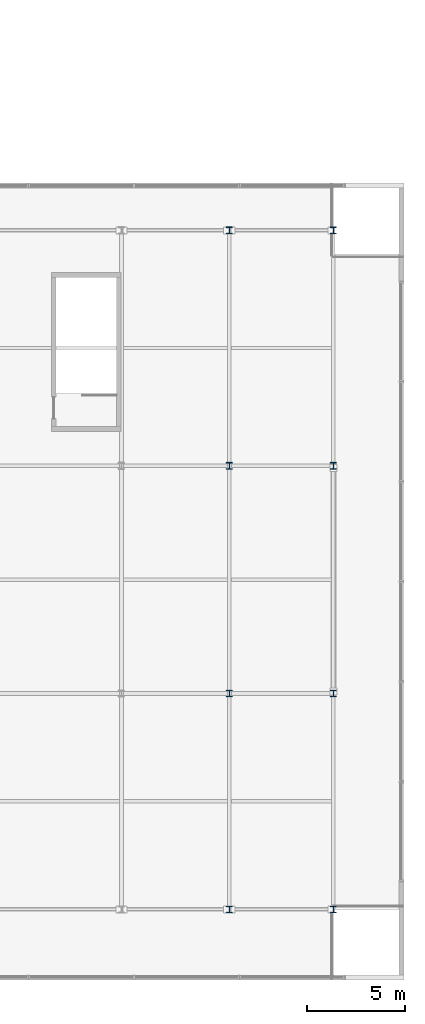
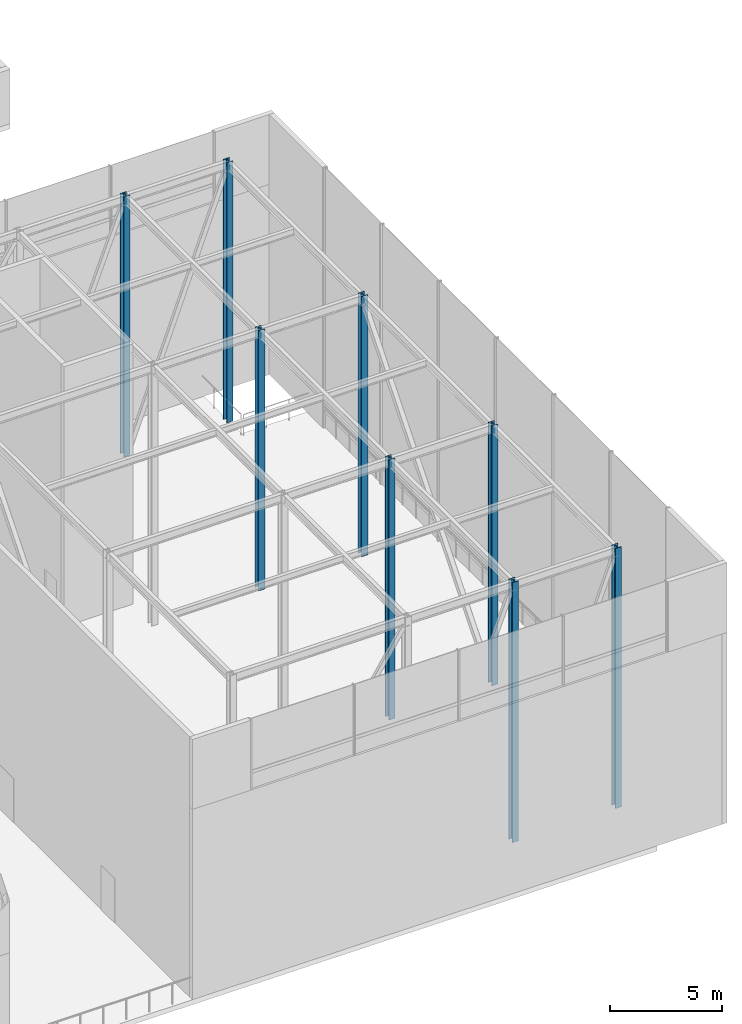
# One storey, part 4 of 42: 8 columns.
"""IFC4 building model written with IfcOpenShell, lengths in metres."""

from ifc_helpers import new_model, si_unit, direction, frame, origin, origin_2d, place, context, subcontext, project, spatial, i_section, extrude, material, material_profile, profile_set, type_object, element, save


model = new_model("IFC4")

# Units and contexts
model_context = context("Model", 3, precision=1e-05, world=origin(), true_north=direction((0.0, 1.0)))
body_context = subcontext(model_context, "Body", "Model", "MODEL_VIEW")
ifc_project = project(units=[si_unit("LENGTHUNIT", "METRE"), si_unit("AREAUNIT", "SQUARE_METRE"), si_unit("VOLUMEUNIT", "CUBIC_METRE"), si_unit("PLANEANGLEUNIT", "RADIAN"), si_unit("MASSUNIT", "GRAM", prefix="KILO")], contexts=[model_context])

# Site, building, storey
site_placement = place(None, origin())
site = spatial("IfcSite", under=ifc_project, at=site_placement, CompositionType="ELEMENT")
building_placement = place(site_placement, origin())
building = spatial("IfcBuilding", under=site, at=building_placement, Name="Korimba Cascade Residences", CompositionType="ELEMENT")
storey_placement = place(building_placement, frame((0.0, 0.0, 207.60009765625)))
storey = spatial("IfcBuildingStorey", under=building, at=storey_placement, Name="L60", CompositionType="ELEMENT", Elevation=207.60009765625)

# Columns
ifc_material = material(Name="Steel S355", Category="steel")
ifc_material_profile = material_profile(ifc_material, i_section(OverallWidth=0.314453125, OverallDepth=0.33984375, WebThickness=0.01904296875, FlangeThickness=0.031494140625, FilletRadius=0.01513671875, at=origin_2d()), Name="Steel S355")
ifc_profile_set = profile_set([ifc_material_profile], Name="Steel S355")
column_type = type_object("IfcColumnType", Name="COL-STL-UC198", PredefinedType="COLUMN", material=ifc_profile_set)
for number, where, z_axis, x_axis, name in (
    (1, (123.60009765625, -4.199951171875, 0.0), (0.0, 0.0, 1.0), (1.0, 0.0, 0.0), "L60 Split-Top Crown Frame Post E3.1"),
    (2, (123.60009765625, 6.800048828125, 0.0), (0.0, 0.0, 1.0), (1.0, 0.0, 0.0), "L60 Split-Top Crown Frame Post E3.2"),
    (3, (123.60009765625, 18.39990234375, 0.0), (0.0, 0.0, 1.0), (1.0, 0.0, 0.0), "L60 Split-Top Crown Frame Post E3.3"),
    (4, (123.60009765625, 30.39990234375, 0.0), (0.0, 0.0, 1.0), (1.0, 0.0, 0.0), "L60 Split-Top Crown Frame Post E3.4"),
    (5, (128.89990234375, -4.199951171875, 0.0), (0.0, 0.0, 1.0), (1.0, 0.0, 0.0), "L60 Split-Top Crown Frame Post E4.1"),
    (6, (128.89990234375, 6.800048828125, 0.0), (0.0, 0.0, 1.0), (1.0, 0.0, 0.0), "L60 Split-Top Crown Frame Post E4.2"),
    (7, (128.89990234375, 18.39990234375, 0.0), (0.0, 0.0, 1.0), (1.0, 0.0, 0.0), "L60 Split-Top Crown Frame Post E4.3"),
    (8, (128.89990234375, 30.39990234375, 0.0), (0.0, 0.0, 1.0), (1.0, 0.0, 0.0), "L60 Split-Top Crown Frame Post E4.4"),
):
    element("IfcColumn", number, at=place(storey_placement, frame(where, z_axis=z_axis, x_axis=x_axis)), inside=storey, type_object=column_type, Name=name, PredefinedType="COLUMN", context=body_context, shape_type="SweptSolid", body=[
        extrude(i_section(OverallWidth=0.314453125, OverallDepth=0.33984375, WebThickness=0.01904296875, FlangeThickness=0.031494140625, FilletRadius=0.01513671875, at=origin_2d()), origin(), (0.0, 0.0, 1.0), 14.14990234375),
    ])

save(model, "model.ifc")
